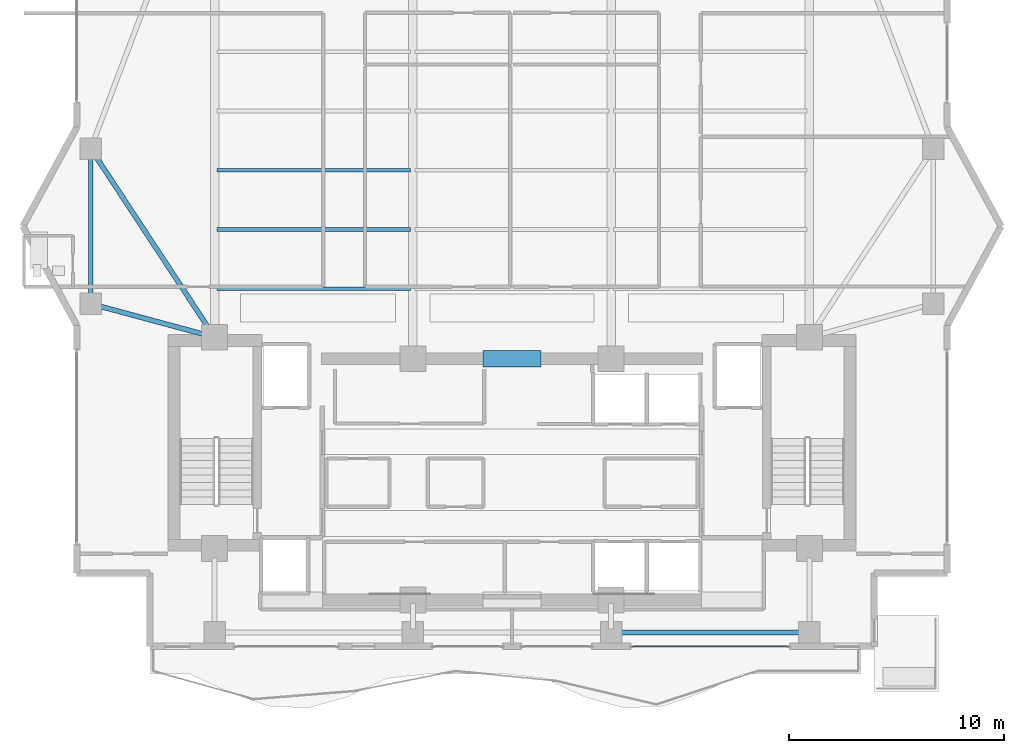
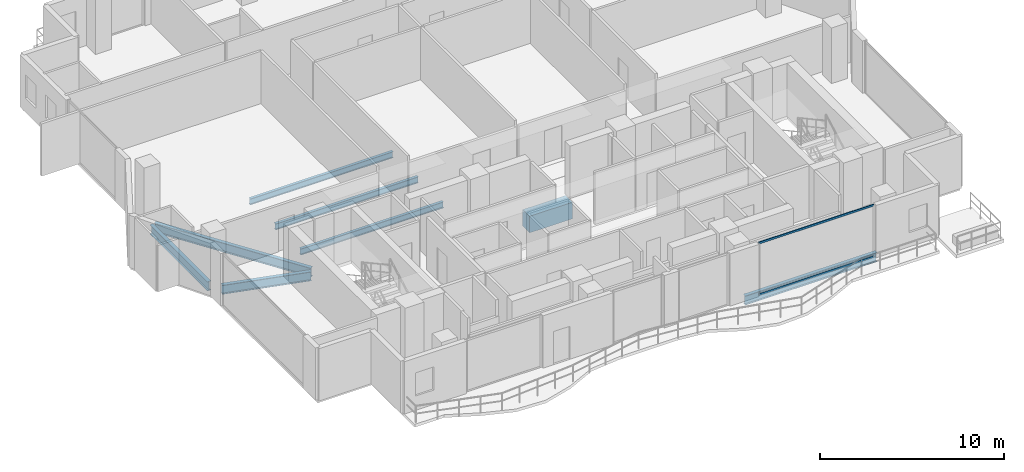
# One storey, part 5 of 25: 8 beams, 2 members, 1 element without a shape of its own.
"""IFC4 building model written with IfcOpenShell, lengths in metres."""

from ifc_helpers import new_model, si_unit, direction, frame, origin, origin_2d, place, context, subcontext, project, spatial, rectangle, hollow_rectangle, i_section, extrude, material, layer, layer_set, material_profile, profile_set, type_object, element, aggregate, save


model = new_model("IFC4")

# Units and contexts
model_context = context("Model", 3, precision=1e-05, world=origin(), true_north=direction((0.0, 1.0)))
body_context = subcontext(model_context, "Body", "Model", "MODEL_VIEW")
ifc_project = project(units=[si_unit("LENGTHUNIT", "METRE"), si_unit("AREAUNIT", "SQUARE_METRE"), si_unit("VOLUMEUNIT", "CUBIC_METRE"), si_unit("PLANEANGLEUNIT", "RADIAN"), si_unit("MASSUNIT", "GRAM", prefix="KILO")], contexts=[model_context])

# Site, building, storey
site_placement = place(None, origin())
site = spatial("IfcSite", under=ifc_project, at=site_placement, CompositionType="ELEMENT")
building_placement = place(site_placement, origin())
building = spatial("IfcBuilding", under=site, at=building_placement, Name="Zuhayl Quay Hotel", CompositionType="ELEMENT")
storey_placement = place(building_placement, frame((0.0, 0.0, 258.14990234375)))
storey = spatial("IfcBuildingStorey", under=building, at=storey_placement, Name="L65", CompositionType="ELEMENT", Elevation=258.14990234375)

# Beams
ifc_material_1 = material(Name="Steel ASTM A992 Grade 50", Category="steel")
ifc_material_profile_1 = material_profile(ifc_material_1, i_section(OverallWidth=0.22802734375, OverallDepth=0.60693359375, WebThickness=0.01123046875, FlangeThickness=0.017333984375, at=origin_2d()), Name="W24X76")
ifc_profile_set_1 = profile_set([ifc_material_profile_1], Name="Steel ASTM A992 Grade 50")
beam_type_1 = type_object("IfcBeamType", Name="BM_B3_W24X76", PredefinedType="BEAM", material=ifc_profile_set_1)
beam_1_placement = place(storey_placement, frame((5.06005859375, 0.64990234375, -0.5234375), z_axis=(1.0, 0.0, 0.0), x_axis=(0.0, 1.0, 0.0)))
element("IfcBeam", 1, at=beam_1_placement, inside=storey, type_object=beam_type_1, Name="L65 Floor Beam RG_L65_03", PredefinedType="BEAM", context=body_context, shape_type="SweptSolid", body=[
    extrude(i_section(OverallWidth=0.22802734375, OverallDepth=0.60693359375, WebThickness=0.01123046875, FlangeThickness=0.017333984375, at=origin_2d()), origin(), (0.0, 0.0, 1.0), 8.280029296875),
])
beam_2_placement = place(storey_placement, frame((-19.550048828125, 22.639892578125, -0.5234375), z_axis=(0.0, -1.0, 0.0), x_axis=(1.0, 0.0, 0.0)))
element("IfcBeam", 2, at=beam_2_placement, inside=storey, type_object=beam_type_1, Name="L65 Floor Beam RG_L65_11", PredefinedType="BEAM", context=body_context, shape_type="SweptSolid", body=[
    extrude(i_section(OverallWidth=0.22802734375, OverallDepth=0.60693359375, WebThickness=0.01123046875, FlangeThickness=0.017333984375, at=origin_2d()), origin(), (0.0, 0.0, 1.0), 6.27978515625),
])
beam_3_placement = place(storey_placement, frame((-19.10595703125, 15.7802734375, -0.5234375), z_axis=(0.965530205773, -0.26029103277, 0.0), x_axis=(0.26029103277, 0.965530205773, 0.0)))
element("IfcBeam", 3, at=beam_3_placement, inside=storey, type_object=beam_type_1, Name="L65 Floor Beam FG_W_L65_1", PredefinedType="BEAM", context=body_context, shape_type="SweptSolid", body=[
    extrude(i_section(OverallWidth=0.22802734375, OverallDepth=0.60693359375, WebThickness=0.01123046875, FlangeThickness=0.017333984375, at=origin_2d()), origin(), (0.0, 0.0, 1.0), 5.045166015625),
])
beam_4_placement = place(storey_placement, frame((-19.29736328125, 22.715576171875, -0.5234375), z_axis=(0.549177886661, -0.835705479701, 0.0), x_axis=(0.835705479701, 0.549177886661, 0.0)))
element("IfcBeam", 4, at=beam_4_placement, inside=storey, type_object=beam_type_1, Name="L65 Floor Beam FG_W_L65_2", PredefinedType="BEAM", context=body_context, shape_type="SweptSolid", body=[
    extrude(i_section(OverallWidth=0.22802734375, OverallDepth=0.60693359375, WebThickness=0.01123046875, FlangeThickness=0.017333984375, at=origin_2d()), origin(), (0.0, 0.0, 1.0), 9.560302734375),
])
ifc_material_2 = material(Name="Concrete C60/75", Category="concrete")
ifc_material_profile_2 = material_profile(ifc_material_2, rectangle(XDim=0.75, YDim=1.10009765625, at=origin_2d()), Name="RC750X1100")
ifc_profile_set_2 = profile_set([ifc_material_profile_2], Name="Concrete C60/75")
beam_type_2 = type_object("IfcBeamType", Name="BM_CB2_RC750", PredefinedType="T_BEAM", material=ifc_profile_set_2)
beam_5_placement = place(storey_placement, frame((-1.35009765625, 13.35009765625, -0.77001953125), z_axis=(1.0, 0.0, 0.0), x_axis=(0.0, 1.0, 0.0)))
element("IfcBeam", 5, at=beam_5_placement, inside=storey, type_object=beam_type_2, Name="L65 Core Coupling Beam North", PredefinedType="T_BEAM", context=body_context, shape_type="SweptSolid", body=[
    extrude(rectangle(XDim=0.75, YDim=1.10009765625, at=origin_2d()), origin(), (0.0, 0.0, 1.0), 2.7001953125),
])
ifc_material_profile_3 = material_profile(ifc_material_1, i_section(OverallWidth=0.177978515625, OverallDepth=0.404052734375, WebThickness=0.007568359375, FlangeThickness=0.010986328125, at=origin_2d()), Name="W16X36")
ifc_profile_set_3 = profile_set([ifc_material_profile_3], Name="Steel ASTM A992 Grade 50")
beam_type_3 = type_object("IfcBeamType", Name="BM_J3_W16X36", PredefinedType="JOIST", material=ifc_profile_set_3)
for number, where, z_axis, x_axis, name in (
    (6, (-13.694091796875, 16.60009765625, -0.421875), (1.0, 0.0, 0.0), (0.0, 1.0, 0.0), "L65 Floor Beam FJ_L65_1_1"),
    (7, (-13.694091796875, 19.35009765625, -0.421875), (1.0, 0.0, 0.0), (0.0, 1.0, 0.0), "L65 Floor Beam FJ_L65_2_1"),
    (8, (-13.694091796875, 22.10009765625, -0.421875), (1.0, 0.0, 0.0), (0.0, 1.0, 0.0), "L65 Floor Beam FJ_L65_3_1"),
):
    element("IfcBeam", number, at=place(storey_placement, frame(where, z_axis=z_axis, x_axis=x_axis)), inside=storey, type_object=beam_type_3, Name=name, PredefinedType="JOIST", context=body_context, shape_type="SweptSolid", body=[
        extrude(i_section(OverallWidth=0.177978515625, OverallDepth=0.404052734375, WebThickness=0.007568359375, FlangeThickness=0.010986328125, at=origin_2d()), origin(), (0.0, 0.0, 1.0), 8.988037109375),
    ])

# Curtain wall, members
ifc_material_3 = material(Name="Anodised Aluminium 6063-T6", Category="aluminium")
ifc_layer = layer(ifc_material_3, 0.169921875, Name="Anodised Aluminium 6063-T6", Category="aluminium")
ifc_layer_set = layer_set([ifc_layer], Name="Anodised Aluminium 6063-T6")
curtain_wall_type = type_object("IfcCurtainWallType", Name="CW_SYS_Z4", PredefinedType="USERDEFINED", material=ifc_layer_set)
curtain_wall_placement = place(storey_placement, origin())
curtain_wall = element("IfcCurtainWall", 9, at=curtain_wall_placement, inside=storey, type_object=curtain_wall_type, Name="L65 Curtain Wall ENV_L65_S_CW1", ObjectType="UNITISED CURTAIN WALL", PredefinedType="USERDEFINED")
ifc_material_4 = material(Name="Black-anodised aluminium 6063-T6", Category="aluminium")
ifc_material_profile_4 = material_profile(ifc_material_4, hollow_rectangle(XDim=0.054931640625, YDim=0.1298828125, WallThickness=0.0029296875, at=origin_2d()), Name="ALU130X55")
ifc_profile_set_4 = profile_set([ifc_material_profile_4], Name="Black-anodised aluminium 6063-T6")
member_type = type_object("IfcMemberType", Name="MB_CW_TRN_130", PredefinedType="USERDEFINED", material=ifc_profile_set_4)
member_1_placement = place(storey_placement, frame((12.81494140625, 0.0, 0.027587890625), z_axis=(-1.0, 0.0, 0.0), x_axis=(0.0, -1.0, 0.0)))
member_1 = element("IfcMember", 10, at=member_1_placement, type_object=member_type, Name="CW-Z4 transom 1.1", ObjectType="TRANSOM", PredefinedType="USERDEFINED", context=body_context, shape_type="SweptSolid", body=[
    extrude(hollow_rectangle(XDim=0.054931640625, YDim=0.1298828125, WallThickness=0.0029296875, at=origin_2d()), origin(), (0.0, 0.0, 1.0), 7.22998046875),
])
member_2_placement = place(storey_placement, frame((12.81494140625, 0.0, 3.45263671875), z_axis=(-1.0, 0.0, 0.0), x_axis=(0.0, -1.0, 0.0)))
member_2 = element("IfcMember", 11, at=member_2_placement, type_object=member_type, Name="CW-Z4 transom 1.2", ObjectType="TRANSOM", PredefinedType="USERDEFINED", context=body_context, shape_type="SweptSolid", body=[
    extrude(hollow_rectangle(XDim=0.054931640625, YDim=0.1298828125, WallThickness=0.0029296875, at=origin_2d()), origin(), (0.0, 0.0, 1.0), 7.22998046875),
])
aggregate(curtain_wall, [member_1, member_2])

save(model, "model.ifc")
